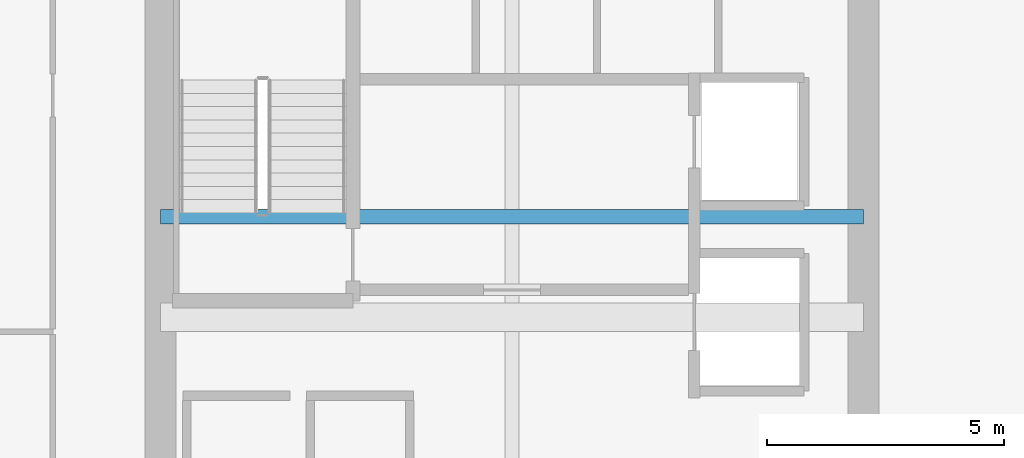
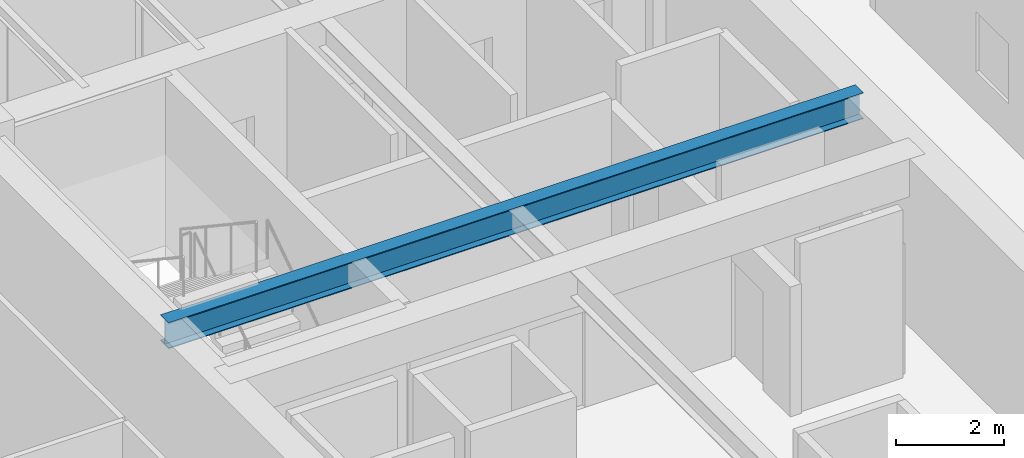
# One storey, part 9 of 30: 1 beam.
"""IFC4 building model written with IfcOpenShell, lengths in metres."""

from ifc_helpers import new_model, si_unit, direction, frame, origin, origin_2d, place, context, subcontext, project, spatial, i_section, extrude, source, transform, mapped, material, material_profile, profile_set, type_object, type_shapes, element, save


model = new_model("IFC4")

# Units and contexts
model_context = context("Model", 3, precision=1e-05, world=origin(), true_north=direction((0.0, 1.0)))
body_context = subcontext(model_context, "Body", "Model", "MODEL_VIEW")
ifc_project = project(units=[si_unit("LENGTHUNIT", "METRE"), si_unit("AREAUNIT", "SQUARE_METRE"), si_unit("VOLUMEUNIT", "CUBIC_METRE"), si_unit("PLANEANGLEUNIT", "RADIAN"), si_unit("MASSUNIT", "GRAM", prefix="KILO")], contexts=[model_context])

# Site, building, storey
site_placement = place(None, origin())
site = spatial("IfcSite", under=ifc_project, at=site_placement, CompositionType="ELEMENT")
building_placement = place(site_placement, origin())
building = spatial("IfcBuilding", under=site, at=building_placement, Name="Haelvirn Gate Laboratories", CompositionType="ELEMENT")
storey_placement = place(building_placement, frame((0.0, 0.0, 170.699951171875)))
storey = spatial("IfcBuildingStorey", under=building, at=storey_placement, Name="L41", CompositionType="ELEMENT", Elevation=170.699951171875)

# Beam
ifc_material = material(Name="Steel SM355", Category="steel")
ifc_material_profile = material_profile(ifc_material, i_section(OverallWidth=0.300048828125, OverallDepth=0.587890625, WebThickness=0.011962890625, FlangeThickness=0.02001953125, at=origin_2d()), Name="H-588x300x12x20")
ifc_profile_set = profile_set([ifc_material_profile], Name="Steel SM355")
beam_type = type_object("IfcBeamType", Name="BM-G-588", PredefinedType="BEAM", material=ifc_profile_set)
shared_shape = source(origin(), body_context, "Body", "SweptSolid", [
    extrude(i_section(OverallWidth=0.300048828125, OverallDepth=0.587890625, WebThickness=0.011962890625, FlangeThickness=0.02001953125, at=origin_2d()), origin(), (0.0, 0.0, 1.0), 14.800048828125),
])
type_shapes(beam_type, [shared_shape])
beam_placement = place(storey_placement, frame((7.39990234375, 26.6201171875, 3.49609375), z_axis=(1.0, 0.0, 0.0), x_axis=(0.0, 1.0, 0.0)))
element("IfcBeam", 1, at=beam_placement, inside=storey, type_object=beam_type, Name="L41 Stair ST1 Landing Header", PredefinedType="BEAM", context=body_context, shape_type="MappedRepresentation", body=[
    mapped(shared_shape, transform((0.0, 0.0, 0.0), scale=1.0)),
])

save(model, "model.ifc")
